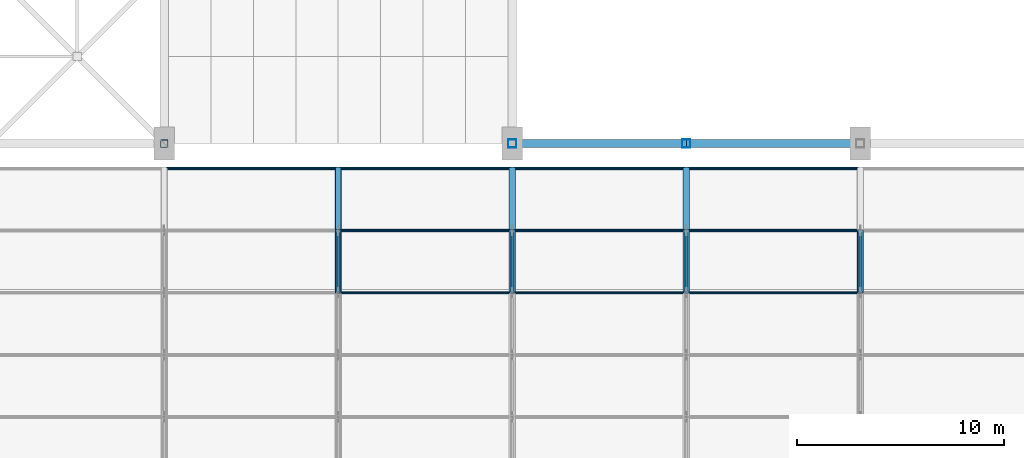
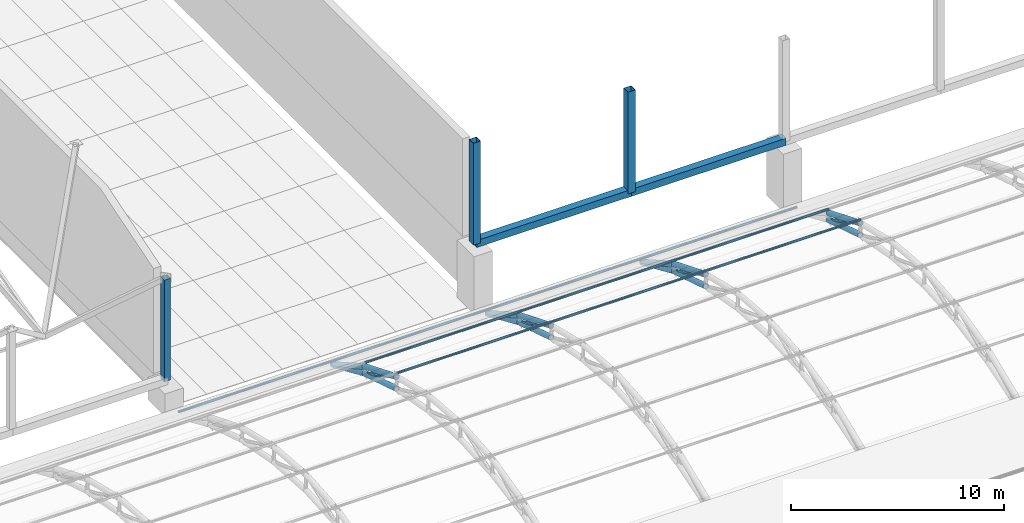
# One storey, part 49 of 163: 33 members.
"""IFC4 building model written with IfcOpenShell, lengths in metres."""

from ifc_helpers import new_model, si_unit, direction, frame, origin, origin_2d, place, context, subcontext, project, spatial, hollow_rectangle, hollow_circle, extrude, material, material_profile, profile_set, type_object, element, save


model = new_model("IFC4")

# Units and contexts
model_context = context("Model", 3, precision=1e-05, world=origin(), true_north=direction((0.0, 1.0)))
body_context = subcontext(model_context, "Body", "Model", "MODEL_VIEW")
ifc_project = project(units=[si_unit("LENGTHUNIT", "METRE"), si_unit("AREAUNIT", "SQUARE_METRE"), si_unit("VOLUMEUNIT", "CUBIC_METRE"), si_unit("PLANEANGLEUNIT", "RADIAN"), si_unit("MASSUNIT", "GRAM", prefix="KILO")], contexts=[model_context])

# Site, building, storey
site_placement = place(None, origin())
site = spatial("IfcSite", under=ifc_project, at=site_placement, CompositionType="ELEMENT")
building_placement = place(site_placement, origin())
building = spatial("IfcBuilding", under=site, at=building_placement, Name="Rain Tree Exposition and Congress Centre", CompositionType="ELEMENT")
storey_placement = place(building_placement, frame((0.0, 0.0, 10.5)))
storey = spatial("IfcBuildingStorey", under=building, at=storey_placement, Name="L02", CompositionType="ELEMENT", Elevation=10.5)

# Members
ifc_material_1 = material(Name="Steel S355J2H", Category="steel")
ifc_material_profile_1 = material_profile(ifc_material_1, hollow_circle(Radius=0.090087890625, WallThickness=0.008056640625, at=origin_2d()), Name="CHS 180x8")
ifc_profile_set_1 = profile_set([ifc_material_profile_1], Name="Steel S355J2H")
member_type_1 = type_object("IfcMemberType", Name="Steel brace member CHS 180x8", PredefinedType="BRACE", material=ifc_profile_set_1)
for number, where, z_axis, x_axis, name in (
    (1, (134.39990234375, 96.60009765625, 1.4423828125), (0.0, -0.880818418444, 0.473454236151), (1.0, 0.0, 0.0), "Roof truss 17 diagonal 6"),
    (2, (142.800048828125, 96.60009765625, 1.4423828125), (0.0, -0.880818418444, 0.473454236151), (1.0, 0.0, 0.0), "Roof truss 18 diagonal 6"),
    (3, (151.199951171875, 96.60009765625, 1.4423828125), (0.0, -0.880818418444, 0.473454236151), (1.0, 0.0, 0.0), "Roof truss 19 diagonal 6"),
    (4, (159.60009765625, 96.60009765625, 1.4423828125), (0.0, -0.880818418444, 0.473454236151), (1.0, 0.0, 0.0), "Roof truss 20 diagonal 6"),
):
    element("IfcMember", number, at=place(storey_placement, frame(where, z_axis=z_axis, x_axis=x_axis)), inside=storey, type_object=member_type_1, Name=name, PredefinedType="BRACE", context=body_context, shape_type="SweptSolid", body=[
        extrude(hollow_circle(Radius=0.090087890625, WallThickness=0.008056640625, at=origin_2d()), origin(), (0.0, 0.0, 1.0), 3.406005859375),
    ])
ifc_material_2 = material(Name="Steel S355J2H", Category="steel")
ifc_material_profile_2 = material_profile(ifc_material_2, hollow_circle(Radius=0.14990234375, WallThickness=0.013916015625, at=origin_2d()), Name="CHS 300x14")
ifc_profile_set_2 = profile_set([ifc_material_profile_2], Name="Steel S355J2H")
member_type_2 = type_object("IfcMemberType", Name="Steel chord member CHS 300x14", PredefinedType="CHORD", material=ifc_profile_set_2)
member_1_placement = place(storey_placement, frame((134.39990234375, 93.60009765625, 3.054931640625), z_axis=(0.0, 0.926466577122, -0.376377046956), x_axis=(-1.0, 0.0, 0.0)))
element("IfcMember", 5, at=member_1_placement, inside=storey, type_object=member_type_2, Name="Roof truss 17 top chord 7", PredefinedType="CHORD", context=body_context, shape_type="SweptSolid", body=[
    extrude(hollow_circle(Radius=0.14990234375, WallThickness=0.013916015625, at=origin_2d()), origin(), (0.0, 0.0, 1.0), 3.238037109375),
])
member_2_placement = place(storey_placement, frame((134.39990234375, 93.60009765625, 2.3798828125), z_axis=(0.0, 0.954479978035, -0.298274993136), x_axis=(-1.0, 0.0, 0.0)))
element("IfcMember", 6, at=member_2_placement, inside=storey, type_object=member_type_2, Name="Roof truss 17 bottom chord 7", PredefinedType="CHORD", context=body_context, shape_type="SweptSolid", body=[
    extrude(hollow_circle(Radius=0.14990234375, WallThickness=0.013916015625, at=origin_2d()), origin(), (0.0, 0.0, 1.0), 3.14306640625),
])
member_3_placement = place(storey_placement, frame((134.39990234375, 96.60009765625, 1.836181640625), z_axis=(0.0, 0.869238262324, -0.494393409455), x_axis=(-1.0, 0.0, 0.0)))
element("IfcMember", 7, at=member_3_placement, inside=storey, type_object=member_type_2, Name="Roof truss 17 top chord 8", PredefinedType="CHORD", context=body_context, shape_type="SweptSolid", body=[
    extrude(hollow_circle(Radius=0.14990234375, WallThickness=0.013916015625, at=origin_2d()), origin(), (0.0, 0.0, 1.0), 3.451416015625),
])
member_4_placement = place(storey_placement, frame((134.39990234375, 96.60009765625, 1.4423828125), z_axis=(0.0, 0.916157334902, -0.40081883402), x_axis=(-1.0, 0.0, 0.0)))
element("IfcMember", 8, at=member_4_placement, inside=storey, type_object=member_type_2, Name="Roof truss 17 bottom chord 8", PredefinedType="CHORD", context=body_context, shape_type="SweptSolid", body=[
    extrude(hollow_circle(Radius=0.14990234375, WallThickness=0.013916015625, at=origin_2d()), origin(), (0.0, 0.0, 1.0), 3.274658203125),
])
member_5_placement = place(storey_placement, frame((142.800048828125, 93.60009765625, 3.054931640625), z_axis=(0.0, 0.926466577122, -0.376377046956), x_axis=(-1.0, 0.0, 0.0)))
element("IfcMember", 9, at=member_5_placement, inside=storey, type_object=member_type_2, Name="Roof truss 18 top chord 7", PredefinedType="CHORD", context=body_context, shape_type="SweptSolid", body=[
    extrude(hollow_circle(Radius=0.14990234375, WallThickness=0.013916015625, at=origin_2d()), origin(), (0.0, 0.0, 1.0), 3.238037109375),
])
member_6_placement = place(storey_placement, frame((142.800048828125, 93.60009765625, 2.3798828125), z_axis=(0.0, 0.954479978035, -0.298274993136), x_axis=(-1.0, 0.0, 0.0)))
element("IfcMember", 10, at=member_6_placement, inside=storey, type_object=member_type_2, Name="Roof truss 18 bottom chord 7", PredefinedType="CHORD", context=body_context, shape_type="SweptSolid", body=[
    extrude(hollow_circle(Radius=0.14990234375, WallThickness=0.013916015625, at=origin_2d()), origin(), (0.0, 0.0, 1.0), 3.14306640625),
])
member_7_placement = place(storey_placement, frame((142.800048828125, 96.60009765625, 1.836181640625), z_axis=(0.0, 0.869238262324, -0.494393409455), x_axis=(-1.0, 0.0, 0.0)))
element("IfcMember", 11, at=member_7_placement, inside=storey, type_object=member_type_2, Name="Roof truss 18 top chord 8", PredefinedType="CHORD", context=body_context, shape_type="SweptSolid", body=[
    extrude(hollow_circle(Radius=0.14990234375, WallThickness=0.013916015625, at=origin_2d()), origin(), (0.0, 0.0, 1.0), 3.451416015625),
])
member_8_placement = place(storey_placement, frame((142.800048828125, 96.60009765625, 1.4423828125), z_axis=(0.0, 0.916157334902, -0.40081883402), x_axis=(-1.0, 0.0, 0.0)))
element("IfcMember", 12, at=member_8_placement, inside=storey, type_object=member_type_2, Name="Roof truss 18 bottom chord 8", PredefinedType="CHORD", context=body_context, shape_type="SweptSolid", body=[
    extrude(hollow_circle(Radius=0.14990234375, WallThickness=0.013916015625, at=origin_2d()), origin(), (0.0, 0.0, 1.0), 3.274658203125),
])
member_9_placement = place(storey_placement, frame((151.199951171875, 93.60009765625, 3.054931640625), z_axis=(0.0, 0.926466577122, -0.376377046956), x_axis=(-1.0, 0.0, 0.0)))
element("IfcMember", 13, at=member_9_placement, inside=storey, type_object=member_type_2, Name="Roof truss 19 top chord 7", PredefinedType="CHORD", context=body_context, shape_type="SweptSolid", body=[
    extrude(hollow_circle(Radius=0.14990234375, WallThickness=0.013916015625, at=origin_2d()), origin(), (0.0, 0.0, 1.0), 3.238037109375),
])
member_10_placement = place(storey_placement, frame((151.199951171875, 93.60009765625, 2.3798828125), z_axis=(0.0, 0.954479978035, -0.298274993136), x_axis=(-1.0, 0.0, 0.0)))
element("IfcMember", 14, at=member_10_placement, inside=storey, type_object=member_type_2, Name="Roof truss 19 bottom chord 7", PredefinedType="CHORD", context=body_context, shape_type="SweptSolid", body=[
    extrude(hollow_circle(Radius=0.14990234375, WallThickness=0.013916015625, at=origin_2d()), origin(), (0.0, 0.0, 1.0), 3.14306640625),
])
member_11_placement = place(storey_placement, frame((151.199951171875, 96.60009765625, 1.836181640625), z_axis=(0.0, 0.869238262324, -0.494393409455), x_axis=(-1.0, 0.0, 0.0)))
element("IfcMember", 15, at=member_11_placement, inside=storey, type_object=member_type_2, Name="Roof truss 19 top chord 8", PredefinedType="CHORD", context=body_context, shape_type="SweptSolid", body=[
    extrude(hollow_circle(Radius=0.14990234375, WallThickness=0.013916015625, at=origin_2d()), origin(), (0.0, 0.0, 1.0), 3.451416015625),
])
member_12_placement = place(storey_placement, frame((151.199951171875, 96.60009765625, 1.4423828125), z_axis=(0.0, 0.916157334902, -0.40081883402), x_axis=(-1.0, 0.0, 0.0)))
element("IfcMember", 16, at=member_12_placement, inside=storey, type_object=member_type_2, Name="Roof truss 19 bottom chord 8", PredefinedType="CHORD", context=body_context, shape_type="SweptSolid", body=[
    extrude(hollow_circle(Radius=0.14990234375, WallThickness=0.013916015625, at=origin_2d()), origin(), (0.0, 0.0, 1.0), 3.274658203125),
])
member_13_placement = place(storey_placement, frame((159.60009765625, 93.60009765625, 3.054931640625), z_axis=(0.0, 0.926466577122, -0.376377046956), x_axis=(-1.0, 0.0, 0.0)))
element("IfcMember", 17, at=member_13_placement, inside=storey, type_object=member_type_2, Name="Roof truss 20 top chord 7", PredefinedType="CHORD", context=body_context, shape_type="SweptSolid", body=[
    extrude(hollow_circle(Radius=0.14990234375, WallThickness=0.013916015625, at=origin_2d()), origin(), (0.0, 0.0, 1.0), 3.238037109375),
])
member_14_placement = place(storey_placement, frame((159.60009765625, 93.60009765625, 2.3798828125), z_axis=(0.0, 0.954479978035, -0.298274993136), x_axis=(-1.0, 0.0, 0.0)))
element("IfcMember", 18, at=member_14_placement, inside=storey, type_object=member_type_2, Name="Roof truss 20 bottom chord 7", PredefinedType="CHORD", context=body_context, shape_type="SweptSolid", body=[
    extrude(hollow_circle(Radius=0.14990234375, WallThickness=0.013916015625, at=origin_2d()), origin(), (0.0, 0.0, 1.0), 3.14306640625),
])
ifc_material_3 = material(Name="Steel S355J2H", Category="steel")
ifc_material_profile_3 = material_profile(ifc_material_3, hollow_rectangle(XDim=0.39990234375, YDim=0.39990234375, WallThickness=0.011962890625, at=origin_2d()), Name="RHS 400x400x12")
ifc_profile_set_3 = profile_set([ifc_material_profile_3], Name="Steel S355J2H")
member_type_3 = type_object("IfcMemberType", Name="Steel chord member RHS 400x400x12", PredefinedType="CHORD", material=ifc_profile_set_3)
member_15_placement = place(storey_placement, frame((142.800048828125, 100.800048828125, 3.5), z_axis=(1.0, 0.0, 0.0), x_axis=(0.0, 1.0, 0.0)))
element("IfcMember", 19, at=member_15_placement, inside=storey, type_object=member_type_3, Name="Eaves chord 1153", PredefinedType="CHORD", context=body_context, shape_type="SweptSolid", body=[
    extrude(hollow_rectangle(XDim=0.39990234375, YDim=0.39990234375, WallThickness=0.011962890625, at=origin_2d()), origin(), (0.0, 0.0, 1.0), 8.39990234375),
])
member_16_placement = place(storey_placement, frame((151.199951171875, 100.800048828125, 3.5), z_axis=(1.0, 0.0, 0.0), x_axis=(0.0, 1.0, 0.0)))
element("IfcMember", 20, at=member_16_placement, inside=storey, type_object=member_type_3, Name="Eaves chord 1154", PredefinedType="CHORD", context=body_context, shape_type="SweptSolid", body=[
    extrude(hollow_rectangle(XDim=0.39990234375, YDim=0.39990234375, WallThickness=0.011962890625, at=origin_2d()), origin(), (0.0, 0.0, 1.0), 8.400146484375),
])
ifc_material_4 = material(Name="Steel S355J2H", Category="steel")
ifc_material_profile_4 = material_profile(ifc_material_4, hollow_rectangle(XDim=0.35009765625, YDim=0.35009765625, WallThickness=0.009033203125, at=origin_2d()), Name="RHS 350x350x9")
ifc_profile_set_4 = profile_set([ifc_material_profile_4], Name="Steel S355J2H")
member_type_4 = type_object("IfcMemberType", Name="Steel post member RHS 350x350x9", PredefinedType="POST", material=ifc_profile_set_4)
member_17_placement = place(storey_placement, frame((126.0, 100.800048828125, 1.5), z_axis=(0.0, 0.0, 1.0), x_axis=(1.0, 0.0, 0.0)))
element("IfcMember", 21, at=member_17_placement, inside=storey, type_object=member_type_4, Name="Eaves post 1373", PredefinedType="POST", context=body_context, shape_type="SweptSolid", body=[
    extrude(hollow_rectangle(XDim=0.35009765625, YDim=0.35009765625, WallThickness=0.009033203125, at=origin_2d()), origin(), (0.0, 0.0, 1.0), 5.85009765625),
])
ifc_material_5 = material(Name="Steel S355J2H", Category="steel")
ifc_material_profile_5 = material_profile(ifc_material_5, hollow_rectangle(XDim=0.39990234375, YDim=0.39990234375, WallThickness=0.011962890625, at=origin_2d()), Name="RHS 400x400x12")
ifc_profile_set_5 = profile_set([ifc_material_profile_5], Name="Steel S355J2H")
member_type_5 = type_object("IfcMemberType", Name="Steel post member RHS 400x400x12", PredefinedType="POST", material=ifc_profile_set_5)
for number, where, z_axis, x_axis, name in (
    (22, (142.800048828125, 100.800048828125, 3.5), (0.0, 0.0, 1.0), (1.0, 0.0, 0.0), "Eaves post 1165"),
    (23, (151.199951171875, 100.800048828125, 3.5), (0.0, 0.0, 1.0), (1.0, 0.0, 0.0), "Eaves post 1166"),
):
    element("IfcMember", number, at=place(storey_placement, frame(where, z_axis=z_axis, x_axis=x_axis)), inside=storey, type_object=member_type_5, Name=name, PredefinedType="POST", context=body_context, shape_type="SweptSolid", body=[
        extrude(hollow_rectangle(XDim=0.39990234375, YDim=0.39990234375, WallThickness=0.011962890625, at=origin_2d()), origin(), (0.0, 0.0, 1.0), 5.85009765625),
    ])
ifc_material_6 = material(Name="Steel S355J2H", Category="steel")
ifc_material_profile_6 = material_profile(ifc_material_6, hollow_circle(Radius=0.070068359375, WallThickness=0.006103515625, at=origin_2d()), Name="CHS 140x6")
ifc_profile_set_6 = profile_set([ifc_material_profile_6], Name="Steel S355J2H")
member_type_6 = type_object("IfcMemberType", Name="Steel purlin member CHS 140x6", PredefinedType="PURLIN", material=ifc_profile_set_6)
member_18_placement = place(storey_placement, frame((134.39990234375, 93.60009765625, 3.27490234375), z_axis=(1.0, 0.0, 0.0), x_axis=(0.0, 1.0, 0.0)))
element("IfcMember", 24, at=member_18_placement, inside=storey, type_object=member_type_6, Name="Roof purlin 7.17", PredefinedType="PURLIN", context=body_context, shape_type="SweptSolid", body=[
    extrude(hollow_circle(Radius=0.070068359375, WallThickness=0.006103515625, at=origin_2d()), origin(), (0.0, 0.0, 1.0), 8.400146484375),
])
member_19_placement = place(storey_placement, frame((142.800048828125, 93.60009765625, 3.27490234375), z_axis=(1.0, 0.0, 0.0), x_axis=(0.0, 1.0, 0.0)))
element("IfcMember", 25, at=member_19_placement, inside=storey, type_object=member_type_6, Name="Roof purlin 7.18", PredefinedType="PURLIN", context=body_context, shape_type="SweptSolid", body=[
    extrude(hollow_circle(Radius=0.070068359375, WallThickness=0.006103515625, at=origin_2d()), origin(), (0.0, 0.0, 1.0), 8.39990234375),
])
for number, where, z_axis, x_axis, name in (
    (26, (151.199951171875, 93.60009765625, 3.27490234375), (1.0, 0.0, 0.0), (0.0, 1.0, 0.0), "Roof purlin 7.19"),
    (27, (134.39990234375, 96.60009765625, 2.056396484375), (1.0, 0.0, 0.0), (0.0, 1.0, 0.0), "Roof purlin 8.17"),
):
    element("IfcMember", number, at=place(storey_placement, frame(where, z_axis=z_axis, x_axis=x_axis)), inside=storey, type_object=member_type_6, Name=name, PredefinedType="PURLIN", context=body_context, shape_type="SweptSolid", body=[
        extrude(hollow_circle(Radius=0.070068359375, WallThickness=0.006103515625, at=origin_2d()), origin(), (0.0, 0.0, 1.0), 8.400146484375),
    ])
member_20_placement = place(storey_placement, frame((142.800048828125, 96.60009765625, 2.056396484375), z_axis=(1.0, 0.0, 0.0), x_axis=(0.0, 1.0, 0.0)))
element("IfcMember", 28, at=member_20_placement, inside=storey, type_object=member_type_6, Name="Roof purlin 8.18", PredefinedType="PURLIN", context=body_context, shape_type="SweptSolid", body=[
    extrude(hollow_circle(Radius=0.070068359375, WallThickness=0.006103515625, at=origin_2d()), origin(), (0.0, 0.0, 1.0), 8.39990234375),
])
member_21_placement = place(storey_placement, frame((151.199951171875, 96.60009765625, 2.056396484375), z_axis=(1.0, 0.0, 0.0), x_axis=(0.0, 1.0, 0.0)))
element("IfcMember", 29, at=member_21_placement, inside=storey, type_object=member_type_6, Name="Roof purlin 8.19", PredefinedType="PURLIN", context=body_context, shape_type="SweptSolid", body=[
    extrude(hollow_circle(Radius=0.070068359375, WallThickness=0.006103515625, at=origin_2d()), origin(), (0.0, 0.0, 1.0), 8.400146484375),
])
member_22_placement = place(storey_placement, frame((126.0, 99.60009765625, 0.35009765625), z_axis=(1.0, 0.0, 0.0), x_axis=(0.0, 1.0, 0.0)))
element("IfcMember", 30, at=member_22_placement, inside=storey, type_object=member_type_6, Name="Roof purlin 9.16", PredefinedType="PURLIN", context=body_context, shape_type="SweptSolid", body=[
    extrude(hollow_circle(Radius=0.070068359375, WallThickness=0.006103515625, at=origin_2d()), origin(), (0.0, 0.0, 1.0), 8.39990234375),
])
member_23_placement = place(storey_placement, frame((134.39990234375, 99.60009765625, 0.35009765625), z_axis=(1.0, 0.0, 0.0), x_axis=(0.0, 1.0, 0.0)))
element("IfcMember", 31, at=member_23_placement, inside=storey, type_object=member_type_6, Name="Roof purlin 9.17", PredefinedType="PURLIN", context=body_context, shape_type="SweptSolid", body=[
    extrude(hollow_circle(Radius=0.070068359375, WallThickness=0.006103515625, at=origin_2d()), origin(), (0.0, 0.0, 1.0), 8.400146484375),
])
member_24_placement = place(storey_placement, frame((142.800048828125, 99.60009765625, 0.35009765625), z_axis=(1.0, 0.0, 0.0), x_axis=(0.0, 1.0, 0.0)))
element("IfcMember", 32, at=member_24_placement, inside=storey, type_object=member_type_6, Name="Roof purlin 9.18", PredefinedType="PURLIN", context=body_context, shape_type="SweptSolid", body=[
    extrude(hollow_circle(Radius=0.070068359375, WallThickness=0.006103515625, at=origin_2d()), origin(), (0.0, 0.0, 1.0), 8.39990234375),
])
member_25_placement = place(storey_placement, frame((151.199951171875, 99.60009765625, 0.35009765625), z_axis=(1.0, 0.0, 0.0), x_axis=(0.0, 1.0, 0.0)))
element("IfcMember", 33, at=member_25_placement, inside=storey, type_object=member_type_6, Name="Roof purlin 9.19", PredefinedType="PURLIN", context=body_context, shape_type="SweptSolid", body=[
    extrude(hollow_circle(Radius=0.070068359375, WallThickness=0.006103515625, at=origin_2d()), origin(), (0.0, 0.0, 1.0), 8.400146484375),
])

save(model, "model.ifc")
